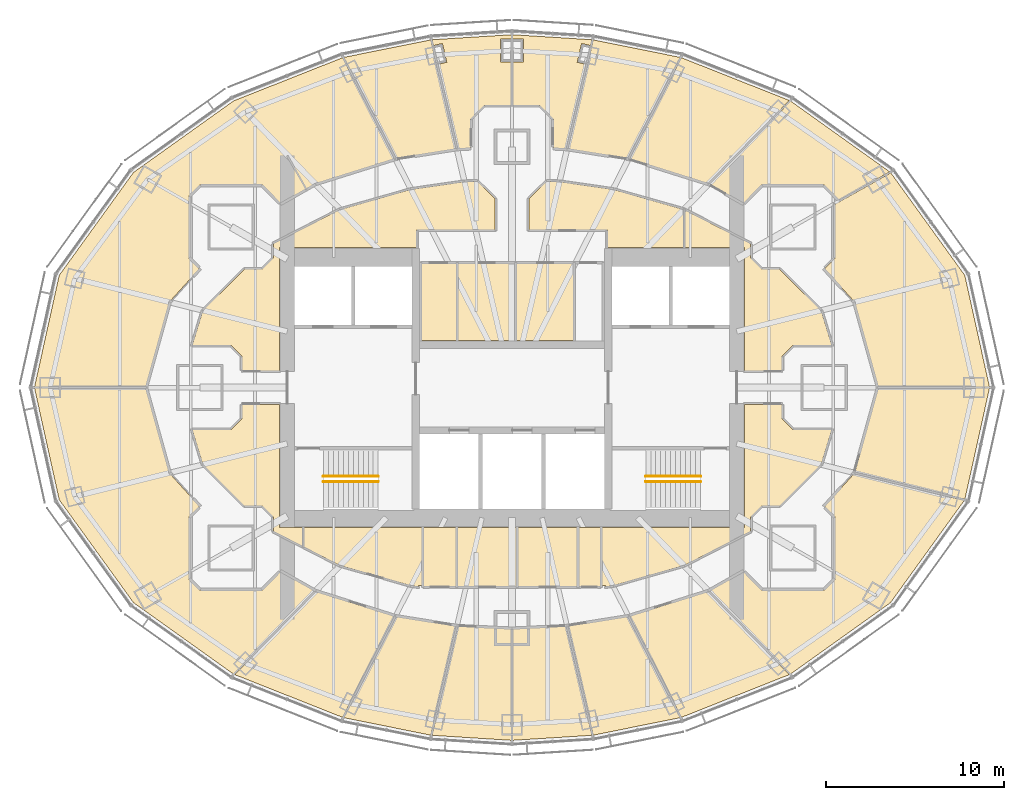
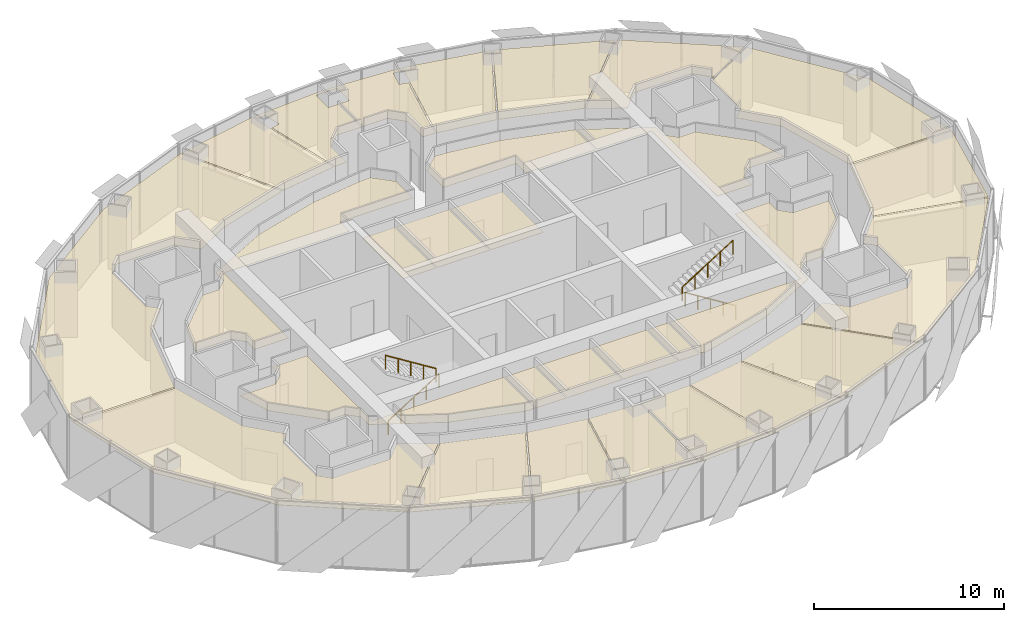
# One storey, part 18 of 18: 30 coverings, 4 railings.
"""IFC4 building model written with IfcOpenShell, lengths in metres."""

from ifc_helpers import new_model, si_unit, direction, frame, origin, origin_2d, place, context, subcontext, project, spatial, polyline, circle, outline, extrude, material, layer, layer_set, type_object, element, save


model = new_model("IFC4")

# Units and contexts
model_context = context("Model", 3, precision=1e-05, world=origin(), true_north=direction((0.0, 1.0)))
body_context = subcontext(model_context, "Body", "Model", "MODEL_VIEW")
ifc_project = project(units=[si_unit("LENGTHUNIT", "METRE"), si_unit("AREAUNIT", "SQUARE_METRE"), si_unit("VOLUMEUNIT", "CUBIC_METRE"), si_unit("PLANEANGLEUNIT", "RADIAN"), si_unit("MASSUNIT", "GRAM", prefix="KILO")], contexts=[model_context])

# Site, building, storey
site_placement = place(None, origin())
site = spatial("IfcSite", under=ifc_project, at=site_placement, CompositionType="ELEMENT")
building_placement = place(site_placement, origin())
building = spatial("IfcBuilding", under=site, at=building_placement, Name="Lantaw Convention Tower", CompositionType="ELEMENT")
storey_placement = place(building_placement, frame((0.0, 0.0, 228.39990234375)))
storey = spatial("IfcBuildingStorey", under=building, at=storey_placement, Name="L53", CompositionType="ELEMENT", Elevation=228.39990234375)

# Railings
ifc_material_1 = material(Name="Stainless steel", Category="steel")
railing_type = type_object("IfcRailingType", Name="Stair handrail", PredefinedType="HANDRAIL", material=ifc_material_1)
railing_1_placement = place(storey_placement, frame((-10.580078125, -5.280029296875, 0.175048828125)))
element("IfcRailing", 1, at=railing_1_placement, inside=storey, type_object=railing_type, Name="Stair handrail S1", PredefinedType="HANDRAIL", context=body_context, shape_type="SweptSolid", body=[
    extrude(circle(Radius=0.02392578125, at=origin_2d()), frame((0.0, 0.0, 0.8759765625), z_axis=(0.847998304005, 0.0, 0.529998940003), x_axis=(0.0, 1.0, 0.0)), (0.0, 0.0, 1.0), 3.632080078125),
    extrude(circle(Radius=0.02099609375, at=origin_2d()), origin(), (0.0, 0.0, 1.0), 0.851806640625),
    extrude(circle(Radius=0.02099609375, at=origin_2d()), frame((0.77001953125, 0.0, 0.481201171875)), (0.0, 0.0, 1.0), 0.851806640625),
    extrude(circle(Radius=0.02099609375, at=origin_2d()), frame((1.5400390625, 0.0, 0.96240234375)), (0.0, 0.0, 1.0), 0.851806640625),
    extrude(circle(Radius=0.02099609375, at=origin_2d()), frame((2.31005859375, 0.0, 1.44384765625)), (0.0, 0.0, 1.0), 0.851806640625),
    extrude(circle(Radius=0.02099609375, at=origin_2d()), frame((3.080078125, 0.0, 1.925048828125)), (0.0, 0.0, 1.0), 0.851806640625),
])
for number, where, name in (
    (2, (-7.5, -4.97998046875, 2.275146484375), "Stair handrail S1"),
    (3, (10.580078125, -5.280029296875, 0.175048828125), "Stair handrail S2"),
):
    element("IfcRailing", number, at=place(storey_placement, frame(where)), inside=storey, type_object=railing_type, Name=name, PredefinedType="HANDRAIL", context=body_context, shape_type="SweptSolid", body=[
        extrude(circle(Radius=0.02392578125, at=origin_2d()), frame((0.0, 0.0, 0.8759765625), z_axis=(-0.847998304005, 0.0, 0.529998940003), x_axis=(0.0, -1.0, 0.0)), (0.0, 0.0, 1.0), 3.632080078125),
        extrude(circle(Radius=0.02099609375, at=origin_2d()), origin(), (0.0, 0.0, 1.0), 0.851806640625),
        extrude(circle(Radius=0.02099609375, at=origin_2d()), frame((-0.77001953125, 0.0, 0.481201171875)), (0.0, 0.0, 1.0), 0.851806640625),
        extrude(circle(Radius=0.02099609375, at=origin_2d()), frame((-1.5400390625, 0.0, 0.96240234375)), (0.0, 0.0, 1.0), 0.851806640625),
        extrude(circle(Radius=0.02099609375, at=origin_2d()), frame((-2.31005859375, 0.0, 1.44384765625)), (0.0, 0.0, 1.0), 0.851806640625),
        extrude(circle(Radius=0.02099609375, at=origin_2d()), frame((-3.080078125, 0.0, 1.925048828125)), (0.0, 0.0, 1.0), 0.851806640625),
    ])
railing_2_placement = place(storey_placement, frame((7.5, -4.97998046875, 2.275146484375)))
element("IfcRailing", 4, at=railing_2_placement, inside=storey, type_object=railing_type, Name="Stair handrail S2", PredefinedType="HANDRAIL", context=body_context, shape_type="SweptSolid", body=[
    extrude(circle(Radius=0.02392578125, at=origin_2d()), frame((0.0, 0.0, 0.8759765625), z_axis=(0.847998304005, 0.0, 0.529998940003), x_axis=(0.0, 1.0, 0.0)), (0.0, 0.0, 1.0), 3.632080078125),
    extrude(circle(Radius=0.02099609375, at=origin_2d()), origin(), (0.0, 0.0, 1.0), 0.851806640625),
    extrude(circle(Radius=0.02099609375, at=origin_2d()), frame((0.77001953125, 0.0, 0.481201171875)), (0.0, 0.0, 1.0), 0.851806640625),
    extrude(circle(Radius=0.02099609375, at=origin_2d()), frame((1.5400390625, 0.0, 0.96240234375)), (0.0, 0.0, 1.0), 0.851806640625),
    extrude(circle(Radius=0.02099609375, at=origin_2d()), frame((2.31005859375, 0.0, 1.44384765625)), (0.0, 0.0, 1.0), 0.851806640625),
    extrude(circle(Radius=0.02099609375, at=origin_2d()), frame((3.080078125, 0.0, 1.925048828125)), (0.0, 0.0, 1.0), 0.851806640625),
])

# Coverings
ifc_material_2 = material(Name="Gypsum board on steel suspension grid", Category="steel")
ifc_layer = layer(ifc_material_2, 0.02001953125)
ifc_layer_set = layer_set([ifc_layer], Name="Suspended ceiling")
covering_type = type_object("IfcCoveringType", Name="Suspended ceiling", PredefinedType="CEILING", material=ifc_layer_set)
covering_1_placement = place(storey_placement, frame((0.0, 0.0, 3.4501953125)))
element("IfcCovering", 5, at=covering_1_placement, inside=storey, type_object=covering_type, Name="Accessible WC ceiling", PredefinedType="CEILING", context=body_context, shape_type="SweptSolid", body=[
    extrude(outline(polyline([(-5.080078125, 2.639892578125), (-3.112060546875, 2.639892578125), (-3.112060546875, 6.9599609375), (-5.080078125, 6.9599609375), (-5.080078125, 2.639892578125)])), origin(), (0.0, 0.0, 1.0), 0.02001953125),
])
covering_2_placement = place(storey_placement, frame((0.0, 0.0, 3.4501953125)))
element("IfcCovering", 6, at=covering_2_placement, inside=storey, type_object=covering_type, Name="Male WC ceiling", PredefinedType="CEILING", context=body_context, shape_type="SweptSolid", body=[
    extrude(outline(polyline([(-3.031982421875, 2.639892578125), (0.164794921875, 2.639892578125), (0.164794921875, 6.9599609375), (-3.031982421875, 6.9599609375), (-3.031982421875, 2.639892578125)])), origin(), (0.0, 0.0, 1.0), 0.02001953125),
])
covering_3_placement = place(storey_placement, frame((0.0, 0.0, 3.4501953125)))
element("IfcCovering", 7, at=covering_3_placement, inside=storey, type_object=covering_type, Name="Female WC ceiling", PredefinedType="CEILING", context=body_context, shape_type="SweptSolid", body=[
    extrude(outline(polyline([(0.244873046875, 2.639892578125), (3.441650390625, 2.639892578125), (3.441650390625, 6.9599609375), (0.244873046875, 6.9599609375), (0.244873046875, 2.639892578125)])), origin(), (0.0, 0.0, 1.0), 0.02001953125),
])
covering_4_placement = place(storey_placement, frame((0.0, 0.0, 3.4501953125)))
element("IfcCovering", 8, at=covering_4_placement, inside=storey, type_object=covering_type, Name="Accessible WC ceiling", PredefinedType="CEILING", context=body_context, shape_type="SweptSolid", body=[
    extrude(outline(polyline([(-4.9599609375, -11.159912109375), (-3.139892578125, -11.159912109375), (-3.139892578125, -7.840087890625), (-4.9599609375, -7.840087890625), (-4.9599609375, -11.159912109375)])), origin(), (0.0, 0.0, 1.0), 0.02001953125),
])
covering_5_placement = place(storey_placement, frame((0.0, 0.0, 3.4501953125)))
element("IfcCovering", 9, at=covering_5_placement, inside=storey, type_object=covering_type, Name="Male WC ceiling", PredefinedType="CEILING", context=body_context, shape_type="SweptSolid", body=[
    extrude(outline(polyline([(-3.06005859375, -11.159912109375), (0.260009765625, -11.159912109375), (0.260009765625, -7.840087890625), (-3.06005859375, -7.840087890625), (-3.06005859375, -11.159912109375)])), origin(), (0.0, 0.0, 1.0), 0.02001953125),
])
covering_6_placement = place(storey_placement, frame((0.0, 0.0, 3.4501953125)))
element("IfcCovering", 10, at=covering_6_placement, inside=storey, type_object=covering_type, Name="Female WC ceiling", PredefinedType="CEILING", context=body_context, shape_type="SweptSolid", body=[
    extrude(outline(polyline([(0.340087890625, -11.159912109375), (3.659912109375, -11.159912109375), (3.659912109375, -7.840087890625), (0.340087890625, -7.840087890625), (0.340087890625, -11.159912109375)])), origin(), (0.0, 0.0, 1.0), 0.02001953125),
])
covering_7_placement = place(storey_placement, frame((0.0, 0.0, 3.4501953125)))
element("IfcCovering", 11, at=covering_7_placement, inside=storey, type_object=covering_type, Name="Pantry ceiling", PredefinedType="CEILING", context=body_context, shape_type="SweptSolid", body=[
    extrude(outline(polyline([(3.739990234375, -11.159912109375), (4.9599609375, -11.159912109375), (4.9599609375, -7.840087890625), (3.739990234375, -7.840087890625), (3.739990234375, -11.159912109375)])), origin(), (0.0, 0.0, 1.0), 0.02001953125),
])
covering_8_placement = place(storey_placement, frame((0.0, 0.0, 3.4501953125)))
element("IfcCovering", 12, at=covering_8_placement, inside=storey, type_object=covering_type, Name="Meeting room ceiling", PredefinedType="CEILING", context=body_context, shape_type="SweptSolid", body=[
    extrude(outline(polyline([(-13.385009765625, -8.062255859375), (-11.75, -8.901611328125), (-11.75, -7.840087890625), (-13.0400390625, -7.840087890625), (-13.0400390625, -0.93994140625), (-15.135009765625, -0.93994140625), (-15.135009765625, -1.7412109375), (-15.7587890625, -2.364990234375), (-17.932861328125, -2.364990234375), (-17.336181640625, -4.31005859375), (-15.008056640625, -6.635009765625), (-14.0087890625, -6.635009765625), (-13.385009765625, -7.2587890625), (-13.385009765625, -8.062255859375)])), origin(), (0.0, 0.0, 1.0), 0.02001953125),
])
covering_9_placement = place(storey_placement, frame((0.0, 0.0, 3.4501953125)))
element("IfcCovering", 13, at=covering_9_placement, inside=storey, type_object=covering_type, Name="Project room ceiling", PredefinedType="CEILING", context=body_context, shape_type="SweptSolid", body=[
    extrude(outline(polyline([(-5.0400390625, -7.840087890625), (-11.669921875, -7.840087890625), (-11.669921875, -8.942626953125), (-9.65576171875, -9.9765625), (-5.67138671875, -11.108154296875), (-5.239990234375, -11.170166015625), (-5.239990234375, -11.110107421875), (-5.0400390625, -11.110107421875), (-5.0400390625, -7.840087890625)])), origin(), (0.0, 0.0, 1.0), 0.02001953125),
])
covering_10_placement = place(storey_placement, frame((0.0, 0.0, 3.4501953125)))
element("IfcCovering", 14, at=covering_10_placement, inside=storey, type_object=covering_type, Name="Tenant storage room ceiling", PredefinedType="CEILING", context=body_context, shape_type="SweptSolid", body=[
    extrude(outline(polyline([(13.0400390625, -0.93994140625), (13.0400390625, -7.840087890625), (5.0400390625, -7.840087890625), (5.0400390625, -11.110107421875), (5.239990234375, -11.110107421875), (5.239990234375, -11.170166015625), (5.67138671875, -11.108154296875), (9.65576171875, -9.9765625), (13.385009765625, -8.062255859375), (13.385009765625, -7.2587890625), (14.0087890625, -6.635009765625), (15.008056640625, -6.635009765625), (17.336181640625, -4.31005859375), (17.932861328125, -2.364990234375), (15.7587890625, -2.364990234375), (15.135009765625, -1.7412109375), (15.135009765625, -0.93994140625), (13.0400390625, -0.93994140625)])), origin(), (0.0, 0.0, 1.0), 0.02001953125),
])
covering_11_placement = place(storey_placement, frame((0.0, 0.0, 3.4501953125)))
element("IfcCovering", 15, at=covering_11_placement, inside=storey, type_object=covering_type, Name="Meeting room ceiling", PredefinedType="CEILING", context=body_context, shape_type="SweptSolid", body=[
    extrude(outline(polyline([(0.93994140625, 8.840087890625), (5.360107421875, 8.840087890625), (5.360107421875, 7.840087890625), (9.6201171875, 7.840087890625), (9.6201171875, 9.98681640625), (5.67138671875, 11.108154296875), (2.669677734375, 11.5400390625), (1.9462890625, 11.572509765625), (1.548828125, 11.175048828125), (1.53662109375, 11.175048828125), (0.93994140625, 10.577392578125), (0.93994140625, 8.840087890625)])), origin(), (0.0, 0.0, 1.0), 0.02001953125),
])
covering_12_placement = place(storey_placement, frame((0.0, 0.0, 3.4501953125)))
element("IfcCovering", 16, at=covering_12_placement, inside=storey, type_object=covering_type, Name="Copy and print room ceiling", PredefinedType="CEILING", context=body_context, shape_type="SweptSolid", body=[
    extrude(outline(polyline([(13.385009765625, 8.06201171875), (9.699951171875, 9.95166015625), (9.699951171875, 7.840087890625), (13.0400390625, 7.840087890625), (13.0400390625, 0.93994140625), (15.135009765625, 0.93994140625), (15.135009765625, 1.7412109375), (15.7587890625, 2.364990234375), (17.932861328125, 2.364990234375), (17.336181640625, 4.31005859375), (15.008056640625, 6.635009765625), (14.0087890625, 6.635009765625), (13.385009765625, 7.2587890625), (13.385009765625, 8.06201171875)])), origin(), (0.0, 0.0, 1.0), 0.02001953125),
])
covering_13_placement = place(storey_placement, frame((0.0, 0.0, 3.4501953125)))
element("IfcCovering", 17, at=covering_13_placement, inside=storey, type_object=covering_type, Name="Project room ceiling", PredefinedType="CEILING", context=body_context, shape_type="SweptSolid", body=[
    extrude(outline(polyline([(-15.7587890625, 2.364990234375), (-15.135009765625, 1.7412109375), (-15.135009765625, 0.93994140625), (-13.0400390625, 0.93994140625), (-13.0400390625, 7.840087890625), (-5.360107421875, 7.840087890625), (-5.360107421875, 8.840087890625), (-0.93994140625, 8.840087890625), (-0.93994140625, 10.577392578125), (-1.53662109375, 11.175048828125), (-1.548828125, 11.175048828125), (-1.9462890625, 11.572509765625), (-2.669677734375, 11.5400390625), (-5.67138671875, 11.108154296875), (-9.65576171875, 9.9765625), (-13.385009765625, 8.062255859375), (-13.385009765625, 7.2587890625), (-14.0087890625, 6.635009765625), (-15.008056640625, 6.635009765625), (-17.336181640625, 4.31005859375), (-17.932861328125, 2.364990234375), (-15.7587890625, 2.364990234375)])), origin(), (0.0, 0.0, 1.0), 0.02001953125),
])
covering_14_placement = place(storey_placement, frame((0.0, 0.0, 3.4501953125)))
element("IfcCovering", 18, at=covering_14_placement, inside=storey, type_object=covering_type, Name="Reception ceiling", PredefinedType="CEILING", context=body_context, shape_type="SweptSolid", body=[
    extrude(outline(polyline([(17.518798828125, 6.66259765625), (19.2080078125, 4.800048828125), (20.530517578125, 0.0400390625), (26.77099609375, 0.0400390625), (25.388916015625, 6.290283203125), (21.241455078125, 12.0380859375), (18.114990234375, 10.28076171875), (18.114990234375, 7.2587890625), (17.518798828125, 6.66259765625)])), origin(), (0.0, 0.0, 1.0), 0.02001953125),
])
covering_15_placement = place(storey_placement, frame((0.0, 0.0, 3.4501953125)))
element("IfcCovering", 19, at=covering_15_placement, inside=storey, type_object=covering_type, Name="Private office ceiling", PredefinedType="CEILING", context=body_context, shape_type="SweptSolid", body=[
    extrude(outline(polyline([(13.385009765625, 10.72900390625), (13.385009765625, 10.7412109375), (14.0087890625, 11.364990234375), (17.4912109375, 11.364990234375), (18.114990234375, 10.7412109375), (18.114990234375, 10.72900390625), (18.34375, 10.501220703125), (21.178466796875, 12.094482421875), (15.62890625, 16.059326171875), (11.065673828125, 11.400634765625), (12.973388671875, 10.318115234375), (13.385009765625, 10.72900390625)])), origin(), (0.0, 0.0, 1.0), 0.02001953125),
])
covering_16_placement = place(storey_placement, frame((0.0, 0.0, 3.4501953125)))
element("IfcCovering", 20, at=covering_16_placement, inside=storey, type_object=covering_type, Name="Private office ceiling", PredefinedType="CEILING", context=body_context, shape_type="SweptSolid", body=[
    extrude(outline(polyline([(10.9892578125, 11.43701171875), (15.553466796875, 16.096923828125), (9.503173828125, 18.49267578125), (6.57861328125, 12.82275390625), (10.9892578125, 11.43701171875)])), origin(), (0.0, 0.0, 1.0), 0.02001953125),
])
covering_17_placement = place(storey_placement, frame((0.0, 0.0, 3.4501953125)))
element("IfcCovering", 21, at=covering_17_placement, inside=storey, type_object=covering_type, Name="Private office ceiling", PredefinedType="CEILING", context=body_context, shape_type="SweptSolid", body=[
    extrude(outline(polyline([(6.4990234375, 12.8427734375), (9.42431640625, 18.514404296875), (4.55859375, 19.492919921875), (3.130126953125, 13.37939453125), (6.4990234375, 12.8427734375)])), origin(), (0.0, 0.0, 1.0), 0.02001953125),
])
covering_18_placement = place(storey_placement, frame((0.0, 0.0, 3.4501953125)))
element("IfcCovering", 22, at=covering_18_placement, inside=storey, type_object=covering_type, Name="Private office ceiling", PredefinedType="CEILING", context=body_context, shape_type="SweptSolid", body=[
    extrude(outline(polyline([(2.324951171875, 15.048828125), (2.324951171875, 13.42431640625), (3.050048828125, 13.38818359375), (4.156005859375, 18.121826171875), (3.65625, 18.2373046875), (3.899169921875, 19.28955078125), (4.40185546875, 19.173583984375), (4.478759765625, 19.5029296875), (0.0400390625, 19.781982421875), (0.0400390625, 19.5400390625), (0.639892578125, 19.5400390625), (0.639892578125, 18.260009765625), (0.0400390625, 18.260009765625), (0.0400390625, 15.824951171875), (1.548828125, 15.824951171875), (2.324951171875, 15.048828125)])), origin(), (0.0, 0.0, 1.0), 0.02001953125),
])
covering_19_placement = place(storey_placement, frame((0.0, 0.0, 3.4501953125)))
element("IfcCovering", 23, at=covering_19_placement, inside=storey, type_object=covering_type, Name="Private office ceiling", PredefinedType="CEILING", context=body_context, shape_type="SweptSolid", body=[
    extrude(outline(polyline([(-4.156005859375, 18.121826171875), (-3.050048828125, 13.38818359375), (-2.324951171875, 13.42431640625), (-2.324951171875, 15.048828125), (-1.548828125, 15.824951171875), (-0.0400390625, 15.824951171875), (-0.0400390625, 18.260009765625), (-0.639892578125, 18.260009765625), (-0.639892578125, 19.5400390625), (-0.0400390625, 19.5400390625), (-0.0400390625, 19.781982421875), (-4.478759765625, 19.5029296875), (-4.40185546875, 19.173583984375), (-3.899169921875, 19.28955078125), (-3.65625, 18.2373046875), (-4.156005859375, 18.121826171875)])), origin(), (0.0, 0.0, 1.0), 0.02001953125),
])
covering_20_placement = place(storey_placement, frame((0.0, 0.0, 3.4501953125)))
element("IfcCovering", 24, at=covering_20_placement, inside=storey, type_object=covering_type, Name="Private office ceiling", PredefinedType="CEILING", context=body_context, shape_type="SweptSolid", body=[
    extrude(outline(polyline([(-3.130126953125, 13.37939453125), (-4.55859375, 19.492919921875), (-9.42431640625, 18.514404296875), (-6.4990234375, 12.8427734375), (-3.130126953125, 13.37939453125)])), origin(), (0.0, 0.0, 1.0), 0.02001953125),
])
covering_21_placement = place(storey_placement, frame((0.0, 0.0, 3.4501953125)))
element("IfcCovering", 25, at=covering_21_placement, inside=storey, type_object=covering_type, Name="Open office ceiling", PredefinedType="CEILING", context=body_context, shape_type="SweptSolid", body=[
    extrude(outline(polyline([(-17.518798828125, 6.66259765625), (-18.114990234375, 7.2587890625), (-18.114990234375, 10.7412109375), (-17.4912109375, 11.364990234375), (-14.0087890625, 11.364990234375), (-13.385009765625, 10.7412109375), (-13.385009765625, 10.72900390625), (-12.973388671875, 10.318115234375), (-11.016845703125, 11.428466796875), (-6.57861328125, 12.82275390625), (-9.503173828125, 18.49267578125), (-15.60498046875, 16.076416015625), (-21.224365234375, 12.061767578125), (-25.388916015625, 6.290283203125), (-26.77099609375, 0.0400390625), (-20.530517578125, 0.0400390625), (-19.2080078125, 4.800048828125), (-17.518798828125, 6.66259765625)])), origin(), (0.0, 0.0, 1.0), 0.02001953125),
])
covering_22_placement = place(storey_placement, frame((0.0, 0.0, 3.4501953125)))
element("IfcCovering", 26, at=covering_22_placement, inside=storey, type_object=covering_type, Name="Boardroom ceiling", PredefinedType="CEILING", context=body_context, shape_type="SweptSolid", body=[
    extrude(outline(polyline([(-17.518798828125, -6.66259765625), (-19.2080078125, -4.800048828125), (-20.530517578125, -0.0400390625), (-26.77099609375, -0.0400390625), (-25.388916015625, -6.290283203125), (-21.224365234375, -12.061767578125), (-15.62890625, -16.059326171875), (-11.065673828125, -11.400634765625), (-12.973388671875, -10.318115234375), (-13.385009765625, -10.72900390625), (-13.385009765625, -10.7412109375), (-14.0087890625, -11.364990234375), (-17.4912109375, -11.364990234375), (-18.114990234375, -10.7412109375), (-18.114990234375, -7.2587890625), (-17.518798828125, -6.66259765625)])), origin(), (0.0, 0.0, 1.0), 0.02001953125),
])
covering_23_placement = place(storey_placement, frame((0.0, 0.0, 3.4501953125)))
element("IfcCovering", 27, at=covering_23_placement, inside=storey, type_object=covering_type, Name="Private office ceiling", PredefinedType="CEILING", context=body_context, shape_type="SweptSolid", body=[
    extrude(outline(polyline([(-10.9892578125, -11.43701171875), (-15.553466796875, -16.096923828125), (-9.503173828125, -18.49267578125), (-6.57861328125, -12.82275390625), (-10.9892578125, -11.43701171875)])), origin(), (0.0, 0.0, 1.0), 0.02001953125),
])
covering_24_placement = place(storey_placement, frame((0.0, 0.0, 3.4501953125)))
element("IfcCovering", 28, at=covering_24_placement, inside=storey, type_object=covering_type, Name="Private office ceiling", PredefinedType="CEILING", context=body_context, shape_type="SweptSolid", body=[
    extrude(outline(polyline([(-6.4990234375, -12.8427734375), (-9.42431640625, -18.514404296875), (-4.55859375, -19.492919921875), (-3.130126953125, -13.37939453125), (-6.4990234375, -12.8427734375)])), origin(), (0.0, 0.0, 1.0), 0.02001953125),
])
covering_25_placement = place(storey_placement, frame((0.0, 0.0, 3.4501953125)))
element("IfcCovering", 29, at=covering_25_placement, inside=storey, type_object=covering_type, Name="Private office ceiling", PredefinedType="CEILING", context=body_context, shape_type="SweptSolid", body=[
    extrude(outline(polyline([(-3.050048828125, -13.38818359375), (-4.478759765625, -19.5029296875), (-0.0400390625, -19.781982421875), (-0.0400390625, -13.5380859375), (-3.050048828125, -13.38818359375)])), origin(), (0.0, 0.0, 1.0), 0.02001953125),
])
covering_26_placement = place(storey_placement, frame((0.0, 0.0, 3.4501953125)))
element("IfcCovering", 30, at=covering_26_placement, inside=storey, type_object=covering_type, Name="Private office ceiling", PredefinedType="CEILING", context=body_context, shape_type="SweptSolid", body=[
    extrude(outline(polyline([(0.0400390625, -13.5380859375), (0.0400390625, -19.781982421875), (4.478759765625, -19.5029296875), (3.050048828125, -13.38818359375), (0.0400390625, -13.5380859375)])), origin(), (0.0, 0.0, 1.0), 0.02001953125),
])
covering_27_placement = place(storey_placement, frame((0.0, 0.0, 3.4501953125)))
element("IfcCovering", 31, at=covering_27_placement, inside=storey, type_object=covering_type, Name="Private office ceiling", PredefinedType="CEILING", context=body_context, shape_type="SweptSolid", body=[
    extrude(outline(polyline([(3.130126953125, -13.37939453125), (4.55859375, -19.492919921875), (9.42431640625, -18.514404296875), (6.4990234375, -12.8427734375), (3.130126953125, -13.37939453125)])), origin(), (0.0, 0.0, 1.0), 0.02001953125),
])
covering_28_placement = place(storey_placement, frame((0.0, 0.0, 3.4501953125)))
element("IfcCovering", 32, at=covering_28_placement, inside=storey, type_object=covering_type, Name="Private office ceiling", PredefinedType="CEILING", context=body_context, shape_type="SweptSolid", body=[
    extrude(outline(polyline([(6.57861328125, -12.82275390625), (9.503173828125, -18.49267578125), (15.553466796875, -16.096923828125), (10.9892578125, -11.43701171875), (6.57861328125, -12.82275390625)])), origin(), (0.0, 0.0, 1.0), 0.02001953125),
])
covering_29_placement = place(storey_placement, frame((0.0, 0.0, 3.4501953125)))
element("IfcCovering", 33, at=covering_29_placement, inside=storey, type_object=covering_type, Name="Open office ceiling", PredefinedType="CEILING", context=body_context, shape_type="SweptSolid", body=[
    extrude(outline(polyline([(13.385009765625, -10.7412109375), (13.385009765625, -10.72900390625), (12.973388671875, -10.318115234375), (11.065673828125, -11.400634765625), (15.62890625, -16.059326171875), (21.224365234375, -12.061767578125), (25.359130859375, -6.331787109375), (19.185546875, -4.82470703125), (17.518798828125, -6.66259765625), (18.114990234375, -7.2587890625), (18.114990234375, -10.7412109375), (17.4912109375, -11.364990234375), (14.0087890625, -11.364990234375), (13.385009765625, -10.7412109375)])), origin(), (0.0, 0.0, 1.0), 0.02001953125),
])
covering_30_placement = place(storey_placement, frame((0.0, 0.0, 3.4501953125)))
element("IfcCovering", 34, at=covering_30_placement, inside=storey, type_object=covering_type, Name="Pantry ceiling", PredefinedType="CEILING", context=body_context, shape_type="SweptSolid", body=[
    extrude(outline(polyline([(19.221435546875, -4.7509765625), (25.39599609375, -6.258544921875), (26.77099609375, -0.0400390625), (20.530517578125, -0.0400390625), (19.221435546875, -4.7509765625)])), origin(), (0.0, 0.0, 1.0), 0.02001953125),
])

save(model, "model.ifc")
